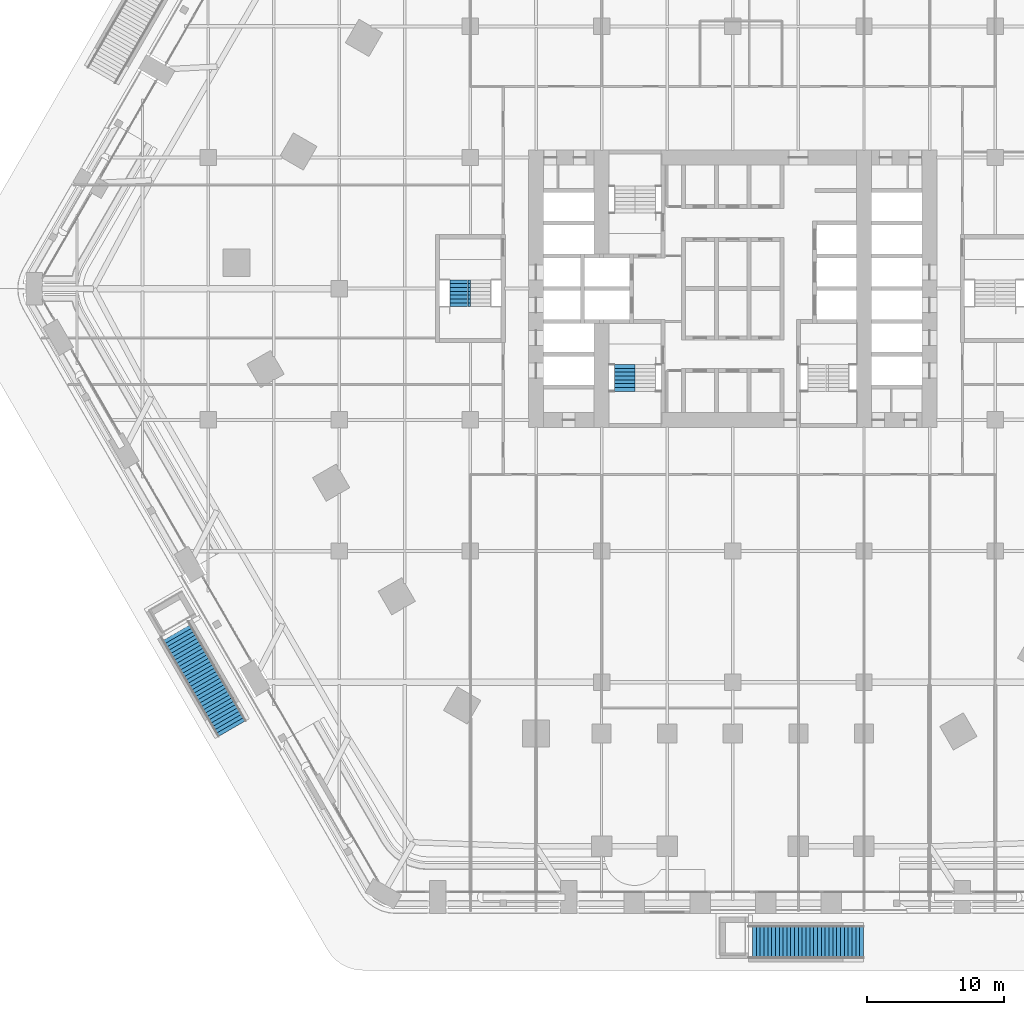
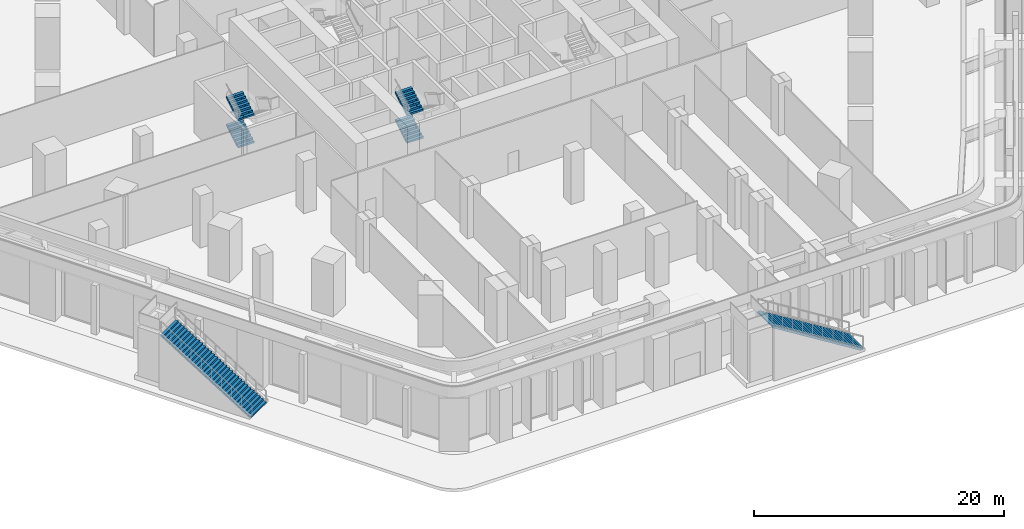
# One storey, part 24 of 34: 6 stair flights, 4 elements without a shape of their own.
"""IFC4 building model written with IfcOpenShell, lengths in metres."""

from ifc_helpers import new_model, si_unit, direction, frame, origin, place, context, subcontext, project, spatial, polyline, outline, extrude, material, type_object, element, aggregate, save


model = new_model("IFC4")

# Units and contexts
model_context = context("Model", 3, precision=1e-05, world=origin(), true_north=direction((0.0, 1.0)))
body_context = subcontext(model_context, "Body", "Model", "MODEL_VIEW")
ifc_project = project(units=[si_unit("LENGTHUNIT", "METRE"), si_unit("AREAUNIT", "SQUARE_METRE"), si_unit("VOLUMEUNIT", "CUBIC_METRE"), si_unit("PLANEANGLEUNIT", "RADIAN"), si_unit("MASSUNIT", "GRAM", prefix="KILO")], contexts=[model_context])

# Site, building, storey
site_placement = place(None, origin())
site = spatial("IfcSite", under=ifc_project, at=site_placement, CompositionType="ELEMENT")
building_placement = place(site_placement, origin())
building = spatial("IfcBuilding", under=site, at=building_placement, Name="Kolab Exchange Tower", CompositionType="ELEMENT")
storey_placement = place(building_placement, frame((0.0, 0.0, 7.0)))
storey = spatial("IfcBuildingStorey", under=building, at=storey_placement, Name="L01", CompositionType="ELEMENT", Elevation=7.0)

# Stair, stair flight
ifc_material_1 = material(Name="Concrete C40/50", Category="concrete")
stair_type_1 = type_object("IfcStairType", Name="GARDEN STAIR RUN B", PredefinedType="STRAIGHT_RUN_STAIR", material=ifc_material_1)
stair_1_placement = place(storey_placement, origin())
stair_1 = element("IfcStair", 1, at=stair_1_placement, inside=storey, type_object=stair_type_1, Name="Garden stair GS4 run B", PredefinedType="STRAIGHT_RUN_STAIR")
stair_flight_type_1 = type_object("IfcStairFlightType", Name="GARDEN STAIR FLIGHT B", PredefinedType="STRAIGHT", material=ifc_material_1)
stair_flight_1_placement = place(storey_placement, frame((9.56005859375, -47.826171875, 0.0), z_axis=(0.0, 0.0, 1.0), x_axis=(-1.0, 0.0, 0.0)))
stair_flight_1 = element("IfcStairFlight", 2, at=stair_flight_1_placement, type_object=stair_flight_type_1, Name="GS4 flight 1", NumberOfRisers=31, NumberOfTreads=30, PredefinedType="STRAIGHT", RiserHeight=0.174194, TreadLength=0.28, context=body_context, shape_type="SweptSolid", body=[
    extrude(outline(polyline([(0.0, 0.0), (0.0, 0.174072265625), (0.280029296875, 0.174072265625), (0.280029296875, 0.348388671875), (0.56005859375, 0.348388671875), (0.56005859375, 0.5224609375), (0.840087890625, 0.5224609375), (0.840087890625, 0.69677734375), (1.1201171875, 0.69677734375), (1.1201171875, 0.870849609375), (1.39990234375, 0.870849609375), (1.39990234375, 1.045166015625), (1.679931640625, 1.045166015625), (1.679931640625, 1.21923828125), (1.9599609375, 1.21923828125), (1.9599609375, 1.3935546875), (2.239990234375, 1.3935546875), (2.239990234375, 1.567626953125), (2.52001953125, 1.567626953125), (2.52001953125, 1.741943359375), (2.800048828125, 1.741943359375), (2.800048828125, 1.916015625), (3.080078125, 1.916015625), (3.080078125, 2.09033203125), (3.360107421875, 2.09033203125), (3.360107421875, 2.264404296875), (3.639892578125, 2.264404296875), (3.639892578125, 2.438720703125), (3.919921875, 2.438720703125), (3.919921875, 2.61279296875), (4.199951171875, 2.61279296875), (4.199951171875, 2.787109375), (4.47998046875, 2.787109375), (4.47998046875, 2.961181640625), (4.760009765625, 2.961181640625), (4.760009765625, 3.135498046875), (5.0400390625, 3.135498046875), (5.0400390625, 3.3095703125), (5.320068359375, 3.3095703125), (5.320068359375, 3.48388671875), (5.60009765625, 3.48388671875), (5.60009765625, 3.657958984375), (5.8798828125, 3.657958984375), (5.8798828125, 3.832275390625), (6.159912109375, 3.832275390625), (6.159912109375, 4.00634765625), (6.43994140625, 4.00634765625), (6.43994140625, 4.1806640625), (6.719970703125, 4.1806640625), (6.719970703125, 4.354736328125), (7.0, 4.354736328125), (7.0, 4.529052734375), (7.280029296875, 4.529052734375), (7.280029296875, 4.703125), (7.56005859375, 4.703125), (7.56005859375, 4.87744140625), (7.840087890625, 4.87744140625), (7.840087890625, 5.051513671875), (8.1201171875, 5.051513671875), (8.1201171875, 5.225830078125), (8.39990234375, 5.225830078125), (8.39990234375, 5.39990234375), (8.39990234375, 5.04931640625), (0.28369140625, 0.0), (0.0, 0.0)])), frame((0.0, 1.199951171875, 0.0), z_axis=(0.0, -1.0, 0.0), x_axis=(1.0, 0.0, 0.0)), (0.0, 0.0, 1.0), 2.39990234375),
])
aggregate(stair_1, [stair_flight_1])

stair_2_placement = place(storey_placement, origin())
stair_2 = element("IfcStair", 3, at=stair_2_placement, inside=storey, type_object=stair_type_1, Name="Garden stair GS5 run B", PredefinedType="STRAIGHT_RUN_STAIR")
stair_flight_2_placement = place(storey_placement, frame((-36.638671875, -32.1923828125, 0.0), z_axis=(0.0, 0.0, 1.0), x_axis=(-0.5, 0.866025403784, 0.0)))
stair_flight_2 = element("IfcStairFlight", 4, at=stair_flight_2_placement, type_object=stair_flight_type_1, Name="GS5 flight 1", NumberOfRisers=31, NumberOfTreads=30, PredefinedType="STRAIGHT", RiserHeight=0.174194, TreadLength=0.28, context=body_context, shape_type="SweptSolid", body=[
    extrude(outline(polyline([(0.0, 0.0), (0.0, 0.174072265625), (0.280029296875, 0.174072265625), (0.280029296875, 0.348388671875), (0.56005859375, 0.348388671875), (0.56005859375, 0.5224609375), (0.840087890625, 0.5224609375), (0.840087890625, 0.69677734375), (1.1201171875, 0.69677734375), (1.1201171875, 0.870849609375), (1.39990234375, 0.870849609375), (1.39990234375, 1.045166015625), (1.679931640625, 1.045166015625), (1.679931640625, 1.21923828125), (1.9599609375, 1.21923828125), (1.9599609375, 1.3935546875), (2.239990234375, 1.3935546875), (2.239990234375, 1.567626953125), (2.52001953125, 1.567626953125), (2.52001953125, 1.741943359375), (2.800048828125, 1.741943359375), (2.800048828125, 1.916015625), (3.080078125, 1.916015625), (3.080078125, 2.09033203125), (3.360107421875, 2.09033203125), (3.360107421875, 2.264404296875), (3.639892578125, 2.264404296875), (3.639892578125, 2.438720703125), (3.919921875, 2.438720703125), (3.919921875, 2.61279296875), (4.199951171875, 2.61279296875), (4.199951171875, 2.787109375), (4.47998046875, 2.787109375), (4.47998046875, 2.961181640625), (4.760009765625, 2.961181640625), (4.760009765625, 3.135498046875), (5.0400390625, 3.135498046875), (5.0400390625, 3.3095703125), (5.320068359375, 3.3095703125), (5.320068359375, 3.48388671875), (5.60009765625, 3.48388671875), (5.60009765625, 3.657958984375), (5.8798828125, 3.657958984375), (5.8798828125, 3.832275390625), (6.159912109375, 3.832275390625), (6.159912109375, 4.00634765625), (6.43994140625, 4.00634765625), (6.43994140625, 4.1806640625), (6.719970703125, 4.1806640625), (6.719970703125, 4.354736328125), (7.0, 4.354736328125), (7.0, 4.529052734375), (7.280029296875, 4.529052734375), (7.280029296875, 4.703125), (7.56005859375, 4.703125), (7.56005859375, 4.87744140625), (7.840087890625, 4.87744140625), (7.840087890625, 5.051513671875), (8.1201171875, 5.051513671875), (8.1201171875, 5.225830078125), (8.39990234375, 5.225830078125), (8.39990234375, 5.39990234375), (8.39990234375, 5.04931640625), (0.28369140625, 0.0), (0.0, 0.0)])), frame((0.0, 1.199951171875, 0.0), z_axis=(0.0, -1.0, 0.0), x_axis=(1.0, 0.0, 0.0)), (0.0, 0.0, 1.0), 2.39990234375),
])
aggregate(stair_2, [stair_flight_2])

# Stair, stair flights
ifc_material_2 = material(Name="Concrete C50/60", Category="concrete")
stair_type_2 = type_object("IfcStairType", Name="STAIR ST3 RISER 168.8", PredefinedType="DOUBLE_RETURN_STAIR", material=ifc_material_2)
stair_3_placement = place(storey_placement, origin())
stair_3 = element("IfcStair", 5, at=stair_3_placement, inside=storey, type_object=stair_type_2, Name="Stair 3", PredefinedType="DOUBLE_RETURN_STAIR")
stair_flight_type_2 = type_object("IfcStairFlightType", Name="STAIR FLIGHT 1500 RISER 168.8", PredefinedType="STRAIGHT", material=ifc_material_2)
stair_flight_3_placement = place(storey_placement, frame((-7.909912109375, -7.510009765625, 1.35009765625), z_axis=(0.0, 0.0, 1.0), x_axis=(0.0, 1.0, 0.0)))
stair_flight_3 = element("IfcStairFlight", 6, at=stair_flight_3_placement, type_object=stair_flight_type_2, Name="ST3 flight 2", NumberOfRisers=8, NumberOfTreads=7, PredefinedType="STRAIGHT", RiserHeight=0.16875, TreadLength=0.28, context=body_context, shape_type="SweptSolid", body=[
    extrude(outline(polyline([(0.0, 0.0), (0.0, 0.168701171875), (0.280029296875, 0.168701171875), (0.280029296875, 0.33740234375), (0.56005859375, 0.33740234375), (0.56005859375, 0.50634765625), (0.840087890625, 0.50634765625), (0.840087890625, 0.675048828125), (1.1201171875, 0.675048828125), (1.1201171875, 0.84375), (1.39990234375, 0.84375), (1.39990234375, 1.012451171875), (1.679931640625, 1.012451171875), (1.679931640625, 1.18115234375), (1.9599609375, 1.18115234375), (1.9599609375, 1.35009765625), (1.9599609375, 1.00634765625), (0.29052734375, 0.0), (0.0, 0.0)])), frame((0.0, 0.75, 0.0), z_axis=(0.0, -1.0, 0.0), x_axis=(1.0, 0.0, 0.0)), (0.0, 0.0, 1.0), 0.185791015625),
    extrude(outline(polyline([(0.0, 0.0), (0.0, 0.168701171875), (0.280029296875, 0.168701171875), (0.280029296875, 0.33740234375), (0.56005859375, 0.33740234375), (0.56005859375, 0.50634765625), (0.840087890625, 0.50634765625), (0.840087890625, 0.675048828125), (1.1201171875, 0.675048828125), (1.1201171875, 0.84375), (1.39990234375, 0.84375), (1.39990234375, 1.012451171875), (1.679931640625, 1.012451171875), (1.679931640625, 1.18115234375), (1.9599609375, 1.18115234375), (1.9599609375, 1.35009765625), (1.9599609375, 1.00634765625), (0.29052734375, 0.0), (0.0, 0.0)])), frame((0.0, 0.562255859375, 0.0), z_axis=(0.0, -1.0, 0.0), x_axis=(1.0, 0.0, 0.0)), (0.0, 0.0, 1.0), 0.185791015625),
    extrude(outline(polyline([(0.0, 0.0), (0.0, 0.168701171875), (0.280029296875, 0.168701171875), (0.280029296875, 0.33740234375), (0.56005859375, 0.33740234375), (0.56005859375, 0.50634765625), (0.840087890625, 0.50634765625), (0.840087890625, 0.675048828125), (1.1201171875, 0.675048828125), (1.1201171875, 0.84375), (1.39990234375, 0.84375), (1.39990234375, 1.012451171875), (1.679931640625, 1.012451171875), (1.679931640625, 1.18115234375), (1.9599609375, 1.18115234375), (1.9599609375, 1.35009765625), (1.9599609375, 1.00634765625), (0.29052734375, 0.0), (0.0, 0.0)])), frame((0.0, 0.37451171875, 0.0), z_axis=(0.0, -1.0, 0.0), x_axis=(1.0, 0.0, 0.0)), (0.0, 0.0, 1.0), 0.185791015625),
    extrude(outline(polyline([(0.0, 0.0), (0.0, 0.168701171875), (0.280029296875, 0.168701171875), (0.280029296875, 0.33740234375), (0.56005859375, 0.33740234375), (0.56005859375, 0.50634765625), (0.840087890625, 0.50634765625), (0.840087890625, 0.675048828125), (1.1201171875, 0.675048828125), (1.1201171875, 0.84375), (1.39990234375, 0.84375), (1.39990234375, 1.012451171875), (1.679931640625, 1.012451171875), (1.679931640625, 1.18115234375), (1.9599609375, 1.18115234375), (1.9599609375, 1.35009765625), (1.9599609375, 1.00634765625), (0.29052734375, 0.0), (0.0, 0.0)])), frame((0.0, 0.186767578125, 0.0), z_axis=(0.0, -1.0, 0.0), x_axis=(1.0, 0.0, 0.0)), (0.0, 0.0, 1.0), 0.185791015625),
    extrude(outline(polyline([(0.0, 0.0), (0.0, 0.168701171875), (0.280029296875, 0.168701171875), (0.280029296875, 0.33740234375), (0.56005859375, 0.33740234375), (0.56005859375, 0.50634765625), (0.840087890625, 0.50634765625), (0.840087890625, 0.675048828125), (1.1201171875, 0.675048828125), (1.1201171875, 0.84375), (1.39990234375, 0.84375), (1.39990234375, 1.012451171875), (1.679931640625, 1.012451171875), (1.679931640625, 1.18115234375), (1.9599609375, 1.18115234375), (1.9599609375, 1.35009765625), (1.9599609375, 1.00634765625), (0.29052734375, 0.0), (0.0, 0.0)])), frame((0.0, -0.0009765625, 0.0), z_axis=(0.0, -1.0, 0.0), x_axis=(1.0, 0.0, 0.0)), (0.0, 0.0, 1.0), 0.185791015625),
    extrude(outline(polyline([(0.0, 0.0), (0.0, 0.168701171875), (0.280029296875, 0.168701171875), (0.280029296875, 0.33740234375), (0.56005859375, 0.33740234375), (0.56005859375, 0.50634765625), (0.840087890625, 0.50634765625), (0.840087890625, 0.675048828125), (1.1201171875, 0.675048828125), (1.1201171875, 0.84375), (1.39990234375, 0.84375), (1.39990234375, 1.012451171875), (1.679931640625, 1.012451171875), (1.679931640625, 1.18115234375), (1.9599609375, 1.18115234375), (1.9599609375, 1.35009765625), (1.9599609375, 1.00634765625), (0.29052734375, 0.0), (0.0, 0.0)])), frame((0.0, -0.188720703125, 0.0), z_axis=(0.0, -1.0, 0.0), x_axis=(1.0, 0.0, 0.0)), (0.0, 0.0, 1.0), 0.185791015625),
    extrude(outline(polyline([(0.0, 0.0), (0.0, 0.168701171875), (0.280029296875, 0.168701171875), (0.280029296875, 0.33740234375), (0.56005859375, 0.33740234375), (0.56005859375, 0.50634765625), (0.840087890625, 0.50634765625), (0.840087890625, 0.675048828125), (1.1201171875, 0.675048828125), (1.1201171875, 0.84375), (1.39990234375, 0.84375), (1.39990234375, 1.012451171875), (1.679931640625, 1.012451171875), (1.679931640625, 1.18115234375), (1.9599609375, 1.18115234375), (1.9599609375, 1.35009765625), (1.9599609375, 1.00634765625), (0.29052734375, 0.0), (0.0, 0.0)])), frame((0.0, -0.37646484375, 0.0), z_axis=(0.0, -1.0, 0.0), x_axis=(1.0, 0.0, 0.0)), (0.0, 0.0, 1.0), 0.185791015625),
    extrude(outline(polyline([(0.0, 0.0), (0.0, 0.168701171875), (0.280029296875, 0.168701171875), (0.280029296875, 0.33740234375), (0.56005859375, 0.33740234375), (0.56005859375, 0.50634765625), (0.840087890625, 0.50634765625), (0.840087890625, 0.675048828125), (1.1201171875, 0.675048828125), (1.1201171875, 0.84375), (1.39990234375, 0.84375), (1.39990234375, 1.012451171875), (1.679931640625, 1.012451171875), (1.679931640625, 1.18115234375), (1.9599609375, 1.18115234375), (1.9599609375, 1.35009765625), (1.9599609375, 1.00634765625), (0.29052734375, 0.0), (0.0, 0.0)])), frame((0.0, -0.564208984375, 0.0), z_axis=(0.0, -1.0, 0.0), x_axis=(1.0, 0.0, 0.0)), (0.0, 0.0, 1.0), 0.185791015625),
])
stair_flight_4_placement = place(storey_placement, frame((-7.909912109375, -7.510009765625, 4.050048828125), z_axis=(0.0, 0.0, 1.0), x_axis=(0.0, 1.0, 0.0)))
stair_flight_4 = element("IfcStairFlight", 7, at=stair_flight_4_placement, type_object=stair_flight_type_2, Name="ST3 flight 4", NumberOfRisers=8, NumberOfTreads=7, PredefinedType="STRAIGHT", RiserHeight=0.16875, TreadLength=0.28, context=body_context, shape_type="SweptSolid", body=[
    extrude(outline(polyline([(0.0, 0.0), (0.0, 0.168701171875), (0.280029296875, 0.168701171875), (0.280029296875, 0.33740234375), (0.56005859375, 0.33740234375), (0.56005859375, 0.50634765625), (0.840087890625, 0.50634765625), (0.840087890625, 0.675048828125), (1.1201171875, 0.675048828125), (1.1201171875, 0.84375), (1.39990234375, 0.84375), (1.39990234375, 1.012451171875), (1.679931640625, 1.012451171875), (1.679931640625, 1.18115234375), (1.9599609375, 1.18115234375), (1.9599609375, 1.35009765625), (1.9599609375, 1.00634765625), (0.29052734375, 0.0), (0.0, 0.0)])), frame((0.0, 0.75, 0.0), z_axis=(0.0, -1.0, 0.0), x_axis=(1.0, 0.0, 0.0)), (0.0, 0.0, 1.0), 0.185791015625),
    extrude(outline(polyline([(0.0, 0.0), (0.0, 0.168701171875), (0.280029296875, 0.168701171875), (0.280029296875, 0.33740234375), (0.56005859375, 0.33740234375), (0.56005859375, 0.50634765625), (0.840087890625, 0.50634765625), (0.840087890625, 0.675048828125), (1.1201171875, 0.675048828125), (1.1201171875, 0.84375), (1.39990234375, 0.84375), (1.39990234375, 1.012451171875), (1.679931640625, 1.012451171875), (1.679931640625, 1.18115234375), (1.9599609375, 1.18115234375), (1.9599609375, 1.35009765625), (1.9599609375, 1.00634765625), (0.29052734375, 0.0), (0.0, 0.0)])), frame((0.0, 0.562255859375, 0.0), z_axis=(0.0, -1.0, 0.0), x_axis=(1.0, 0.0, 0.0)), (0.0, 0.0, 1.0), 0.185791015625),
    extrude(outline(polyline([(0.0, 0.0), (0.0, 0.168701171875), (0.280029296875, 0.168701171875), (0.280029296875, 0.33740234375), (0.56005859375, 0.33740234375), (0.56005859375, 0.50634765625), (0.840087890625, 0.50634765625), (0.840087890625, 0.675048828125), (1.1201171875, 0.675048828125), (1.1201171875, 0.84375), (1.39990234375, 0.84375), (1.39990234375, 1.012451171875), (1.679931640625, 1.012451171875), (1.679931640625, 1.18115234375), (1.9599609375, 1.18115234375), (1.9599609375, 1.35009765625), (1.9599609375, 1.00634765625), (0.29052734375, 0.0), (0.0, 0.0)])), frame((0.0, 0.37451171875, 0.0), z_axis=(0.0, -1.0, 0.0), x_axis=(1.0, 0.0, 0.0)), (0.0, 0.0, 1.0), 0.185791015625),
    extrude(outline(polyline([(0.0, 0.0), (0.0, 0.168701171875), (0.280029296875, 0.168701171875), (0.280029296875, 0.33740234375), (0.56005859375, 0.33740234375), (0.56005859375, 0.50634765625), (0.840087890625, 0.50634765625), (0.840087890625, 0.675048828125), (1.1201171875, 0.675048828125), (1.1201171875, 0.84375), (1.39990234375, 0.84375), (1.39990234375, 1.012451171875), (1.679931640625, 1.012451171875), (1.679931640625, 1.18115234375), (1.9599609375, 1.18115234375), (1.9599609375, 1.35009765625), (1.9599609375, 1.00634765625), (0.29052734375, 0.0), (0.0, 0.0)])), frame((0.0, 0.186767578125, 0.0), z_axis=(0.0, -1.0, 0.0), x_axis=(1.0, 0.0, 0.0)), (0.0, 0.0, 1.0), 0.185791015625),
    extrude(outline(polyline([(0.0, 0.0), (0.0, 0.168701171875), (0.280029296875, 0.168701171875), (0.280029296875, 0.33740234375), (0.56005859375, 0.33740234375), (0.56005859375, 0.50634765625), (0.840087890625, 0.50634765625), (0.840087890625, 0.675048828125), (1.1201171875, 0.675048828125), (1.1201171875, 0.84375), (1.39990234375, 0.84375), (1.39990234375, 1.012451171875), (1.679931640625, 1.012451171875), (1.679931640625, 1.18115234375), (1.9599609375, 1.18115234375), (1.9599609375, 1.35009765625), (1.9599609375, 1.00634765625), (0.29052734375, 0.0), (0.0, 0.0)])), frame((0.0, -0.0009765625, 0.0), z_axis=(0.0, -1.0, 0.0), x_axis=(1.0, 0.0, 0.0)), (0.0, 0.0, 1.0), 0.185791015625),
    extrude(outline(polyline([(0.0, 0.0), (0.0, 0.168701171875), (0.280029296875, 0.168701171875), (0.280029296875, 0.33740234375), (0.56005859375, 0.33740234375), (0.56005859375, 0.50634765625), (0.840087890625, 0.50634765625), (0.840087890625, 0.675048828125), (1.1201171875, 0.675048828125), (1.1201171875, 0.84375), (1.39990234375, 0.84375), (1.39990234375, 1.012451171875), (1.679931640625, 1.012451171875), (1.679931640625, 1.18115234375), (1.9599609375, 1.18115234375), (1.9599609375, 1.35009765625), (1.9599609375, 1.00634765625), (0.29052734375, 0.0), (0.0, 0.0)])), frame((0.0, -0.188720703125, 0.0), z_axis=(0.0, -1.0, 0.0), x_axis=(1.0, 0.0, 0.0)), (0.0, 0.0, 1.0), 0.185791015625),
    extrude(outline(polyline([(0.0, 0.0), (0.0, 0.168701171875), (0.280029296875, 0.168701171875), (0.280029296875, 0.33740234375), (0.56005859375, 0.33740234375), (0.56005859375, 0.50634765625), (0.840087890625, 0.50634765625), (0.840087890625, 0.675048828125), (1.1201171875, 0.675048828125), (1.1201171875, 0.84375), (1.39990234375, 0.84375), (1.39990234375, 1.012451171875), (1.679931640625, 1.012451171875), (1.679931640625, 1.18115234375), (1.9599609375, 1.18115234375), (1.9599609375, 1.35009765625), (1.9599609375, 1.00634765625), (0.29052734375, 0.0), (0.0, 0.0)])), frame((0.0, -0.37646484375, 0.0), z_axis=(0.0, -1.0, 0.0), x_axis=(1.0, 0.0, 0.0)), (0.0, 0.0, 1.0), 0.185791015625),
    extrude(outline(polyline([(0.0, 0.0), (0.0, 0.168701171875), (0.280029296875, 0.168701171875), (0.280029296875, 0.33740234375), (0.56005859375, 0.33740234375), (0.56005859375, 0.50634765625), (0.840087890625, 0.50634765625), (0.840087890625, 0.675048828125), (1.1201171875, 0.675048828125), (1.1201171875, 0.84375), (1.39990234375, 0.84375), (1.39990234375, 1.012451171875), (1.679931640625, 1.012451171875), (1.679931640625, 1.18115234375), (1.9599609375, 1.18115234375), (1.9599609375, 1.35009765625), (1.9599609375, 1.00634765625), (0.29052734375, 0.0), (0.0, 0.0)])), frame((0.0, -0.564208984375, 0.0), z_axis=(0.0, -1.0, 0.0), x_axis=(1.0, 0.0, 0.0)), (0.0, 0.0, 1.0), 0.185791015625),
])
aggregate(stair_3, [stair_flight_3, stair_flight_4])

stair_type_3 = type_object("IfcStairType", Name="STAIR ST5 RISER 168.8", PredefinedType="DOUBLE_RETURN_STAIR", material=ifc_material_2)
stair_4_placement = place(storey_placement, origin())
stair_4 = element("IfcStair", 8, at=stair_4_placement, inside=storey, type_object=stair_type_3, Name="Stair 5", PredefinedType="DOUBLE_RETURN_STAIR")
stair_flight_5_placement = place(storey_placement, frame((-19.9599609375, -1.31005859375, 1.35009765625), z_axis=(0.0, 0.0, 1.0), x_axis=(0.0, 1.0, 0.0)))
stair_flight_5 = element("IfcStairFlight", 9, at=stair_flight_5_placement, type_object=stair_flight_type_2, Name="ST5 flight 2", NumberOfRisers=8, NumberOfTreads=7, PredefinedType="STRAIGHT", RiserHeight=0.16875, TreadLength=0.28, context=body_context, shape_type="SweptSolid", body=[
    extrude(outline(polyline([(0.0, 0.0), (0.0, 0.168701171875), (0.280029296875, 0.168701171875), (0.280029296875, 0.33740234375), (0.56005859375, 0.33740234375), (0.56005859375, 0.50634765625), (0.840087890625, 0.50634765625), (0.840087890625, 0.675048828125), (1.1201171875, 0.675048828125), (1.1201171875, 0.84375), (1.39990234375, 0.84375), (1.39990234375, 1.012451171875), (1.679931640625, 1.012451171875), (1.679931640625, 1.18115234375), (1.9599609375, 1.18115234375), (1.9599609375, 1.35009765625), (1.9599609375, 1.00634765625), (0.29052734375, 0.0), (0.0, 0.0)])), frame((0.0, 0.75, 0.0), z_axis=(0.0, -1.0, 0.0), x_axis=(1.0, 0.0, 0.0)), (0.0, 0.0, 1.0), 0.185791015625),
    extrude(outline(polyline([(0.0, 0.0), (0.0, 0.168701171875), (0.280029296875, 0.168701171875), (0.280029296875, 0.33740234375), (0.56005859375, 0.33740234375), (0.56005859375, 0.50634765625), (0.840087890625, 0.50634765625), (0.840087890625, 0.675048828125), (1.1201171875, 0.675048828125), (1.1201171875, 0.84375), (1.39990234375, 0.84375), (1.39990234375, 1.012451171875), (1.679931640625, 1.012451171875), (1.679931640625, 1.18115234375), (1.9599609375, 1.18115234375), (1.9599609375, 1.35009765625), (1.9599609375, 1.00634765625), (0.29052734375, 0.0), (0.0, 0.0)])), frame((0.0, 0.562255859375, 0.0), z_axis=(0.0, -1.0, 0.0), x_axis=(1.0, 0.0, 0.0)), (0.0, 0.0, 1.0), 0.185791015625),
    extrude(outline(polyline([(0.0, 0.0), (0.0, 0.168701171875), (0.280029296875, 0.168701171875), (0.280029296875, 0.33740234375), (0.56005859375, 0.33740234375), (0.56005859375, 0.50634765625), (0.840087890625, 0.50634765625), (0.840087890625, 0.675048828125), (1.1201171875, 0.675048828125), (1.1201171875, 0.84375), (1.39990234375, 0.84375), (1.39990234375, 1.012451171875), (1.679931640625, 1.012451171875), (1.679931640625, 1.18115234375), (1.9599609375, 1.18115234375), (1.9599609375, 1.35009765625), (1.9599609375, 1.00634765625), (0.29052734375, 0.0), (0.0, 0.0)])), frame((0.0, 0.37451171875, 0.0), z_axis=(0.0, -1.0, 0.0), x_axis=(1.0, 0.0, 0.0)), (0.0, 0.0, 1.0), 0.185791015625),
    extrude(outline(polyline([(0.0, 0.0), (0.0, 0.168701171875), (0.280029296875, 0.168701171875), (0.280029296875, 0.33740234375), (0.56005859375, 0.33740234375), (0.56005859375, 0.50634765625), (0.840087890625, 0.50634765625), (0.840087890625, 0.675048828125), (1.1201171875, 0.675048828125), (1.1201171875, 0.84375), (1.39990234375, 0.84375), (1.39990234375, 1.012451171875), (1.679931640625, 1.012451171875), (1.679931640625, 1.18115234375), (1.9599609375, 1.18115234375), (1.9599609375, 1.35009765625), (1.9599609375, 1.00634765625), (0.29052734375, 0.0), (0.0, 0.0)])), frame((0.0, 0.186767578125, 0.0), z_axis=(0.0, -1.0, 0.0), x_axis=(1.0, 0.0, 0.0)), (0.0, 0.0, 1.0), 0.185791015625),
    extrude(outline(polyline([(0.0, 0.0), (0.0, 0.168701171875), (0.280029296875, 0.168701171875), (0.280029296875, 0.33740234375), (0.56005859375, 0.33740234375), (0.56005859375, 0.50634765625), (0.840087890625, 0.50634765625), (0.840087890625, 0.675048828125), (1.1201171875, 0.675048828125), (1.1201171875, 0.84375), (1.39990234375, 0.84375), (1.39990234375, 1.012451171875), (1.679931640625, 1.012451171875), (1.679931640625, 1.18115234375), (1.9599609375, 1.18115234375), (1.9599609375, 1.35009765625), (1.9599609375, 1.00634765625), (0.29052734375, 0.0), (0.0, 0.0)])), frame((0.0, -0.0009765625, 0.0), z_axis=(0.0, -1.0, 0.0), x_axis=(1.0, 0.0, 0.0)), (0.0, 0.0, 1.0), 0.185791015625),
    extrude(outline(polyline([(0.0, 0.0), (0.0, 0.168701171875), (0.280029296875, 0.168701171875), (0.280029296875, 0.33740234375), (0.56005859375, 0.33740234375), (0.56005859375, 0.50634765625), (0.840087890625, 0.50634765625), (0.840087890625, 0.675048828125), (1.1201171875, 0.675048828125), (1.1201171875, 0.84375), (1.39990234375, 0.84375), (1.39990234375, 1.012451171875), (1.679931640625, 1.012451171875), (1.679931640625, 1.18115234375), (1.9599609375, 1.18115234375), (1.9599609375, 1.35009765625), (1.9599609375, 1.00634765625), (0.29052734375, 0.0), (0.0, 0.0)])), frame((0.0, -0.188720703125, 0.0), z_axis=(0.0, -1.0, 0.0), x_axis=(1.0, 0.0, 0.0)), (0.0, 0.0, 1.0), 0.185791015625),
    extrude(outline(polyline([(0.0, 0.0), (0.0, 0.168701171875), (0.280029296875, 0.168701171875), (0.280029296875, 0.33740234375), (0.56005859375, 0.33740234375), (0.56005859375, 0.50634765625), (0.840087890625, 0.50634765625), (0.840087890625, 0.675048828125), (1.1201171875, 0.675048828125), (1.1201171875, 0.84375), (1.39990234375, 0.84375), (1.39990234375, 1.012451171875), (1.679931640625, 1.012451171875), (1.679931640625, 1.18115234375), (1.9599609375, 1.18115234375), (1.9599609375, 1.35009765625), (1.9599609375, 1.00634765625), (0.29052734375, 0.0), (0.0, 0.0)])), frame((0.0, -0.37646484375, 0.0), z_axis=(0.0, -1.0, 0.0), x_axis=(1.0, 0.0, 0.0)), (0.0, 0.0, 1.0), 0.185791015625),
    extrude(outline(polyline([(0.0, 0.0), (0.0, 0.168701171875), (0.280029296875, 0.168701171875), (0.280029296875, 0.33740234375), (0.56005859375, 0.33740234375), (0.56005859375, 0.50634765625), (0.840087890625, 0.50634765625), (0.840087890625, 0.675048828125), (1.1201171875, 0.675048828125), (1.1201171875, 0.84375), (1.39990234375, 0.84375), (1.39990234375, 1.012451171875), (1.679931640625, 1.012451171875), (1.679931640625, 1.18115234375), (1.9599609375, 1.18115234375), (1.9599609375, 1.35009765625), (1.9599609375, 1.00634765625), (0.29052734375, 0.0), (0.0, 0.0)])), frame((0.0, -0.564208984375, 0.0), z_axis=(0.0, -1.0, 0.0), x_axis=(1.0, 0.0, 0.0)), (0.0, 0.0, 1.0), 0.185791015625),
])
stair_flight_6_placement = place(storey_placement, frame((-19.9599609375, -1.31005859375, 4.050048828125), z_axis=(0.0, 0.0, 1.0), x_axis=(0.0, 1.0, 0.0)))
stair_flight_6 = element("IfcStairFlight", 10, at=stair_flight_6_placement, type_object=stair_flight_type_2, Name="ST5 flight 4", NumberOfRisers=8, NumberOfTreads=7, PredefinedType="STRAIGHT", RiserHeight=0.16875, TreadLength=0.28, context=body_context, shape_type="SweptSolid", body=[
    extrude(outline(polyline([(0.0, 0.0), (0.0, 0.168701171875), (0.280029296875, 0.168701171875), (0.280029296875, 0.33740234375), (0.56005859375, 0.33740234375), (0.56005859375, 0.50634765625), (0.840087890625, 0.50634765625), (0.840087890625, 0.675048828125), (1.1201171875, 0.675048828125), (1.1201171875, 0.84375), (1.39990234375, 0.84375), (1.39990234375, 1.012451171875), (1.679931640625, 1.012451171875), (1.679931640625, 1.18115234375), (1.9599609375, 1.18115234375), (1.9599609375, 1.35009765625), (1.9599609375, 1.00634765625), (0.29052734375, 0.0), (0.0, 0.0)])), frame((0.0, 0.75, 0.0), z_axis=(0.0, -1.0, 0.0), x_axis=(1.0, 0.0, 0.0)), (0.0, 0.0, 1.0), 0.185791015625),
    extrude(outline(polyline([(0.0, 0.0), (0.0, 0.168701171875), (0.280029296875, 0.168701171875), (0.280029296875, 0.33740234375), (0.56005859375, 0.33740234375), (0.56005859375, 0.50634765625), (0.840087890625, 0.50634765625), (0.840087890625, 0.675048828125), (1.1201171875, 0.675048828125), (1.1201171875, 0.84375), (1.39990234375, 0.84375), (1.39990234375, 1.012451171875), (1.679931640625, 1.012451171875), (1.679931640625, 1.18115234375), (1.9599609375, 1.18115234375), (1.9599609375, 1.35009765625), (1.9599609375, 1.00634765625), (0.29052734375, 0.0), (0.0, 0.0)])), frame((0.0, 0.562255859375, 0.0), z_axis=(0.0, -1.0, 0.0), x_axis=(1.0, 0.0, 0.0)), (0.0, 0.0, 1.0), 0.185791015625),
    extrude(outline(polyline([(0.0, 0.0), (0.0, 0.168701171875), (0.280029296875, 0.168701171875), (0.280029296875, 0.33740234375), (0.56005859375, 0.33740234375), (0.56005859375, 0.50634765625), (0.840087890625, 0.50634765625), (0.840087890625, 0.675048828125), (1.1201171875, 0.675048828125), (1.1201171875, 0.84375), (1.39990234375, 0.84375), (1.39990234375, 1.012451171875), (1.679931640625, 1.012451171875), (1.679931640625, 1.18115234375), (1.9599609375, 1.18115234375), (1.9599609375, 1.35009765625), (1.9599609375, 1.00634765625), (0.29052734375, 0.0), (0.0, 0.0)])), frame((0.0, 0.37451171875, 0.0), z_axis=(0.0, -1.0, 0.0), x_axis=(1.0, 0.0, 0.0)), (0.0, 0.0, 1.0), 0.185791015625),
    extrude(outline(polyline([(0.0, 0.0), (0.0, 0.168701171875), (0.280029296875, 0.168701171875), (0.280029296875, 0.33740234375), (0.56005859375, 0.33740234375), (0.56005859375, 0.50634765625), (0.840087890625, 0.50634765625), (0.840087890625, 0.675048828125), (1.1201171875, 0.675048828125), (1.1201171875, 0.84375), (1.39990234375, 0.84375), (1.39990234375, 1.012451171875), (1.679931640625, 1.012451171875), (1.679931640625, 1.18115234375), (1.9599609375, 1.18115234375), (1.9599609375, 1.35009765625), (1.9599609375, 1.00634765625), (0.29052734375, 0.0), (0.0, 0.0)])), frame((0.0, 0.186767578125, 0.0), z_axis=(0.0, -1.0, 0.0), x_axis=(1.0, 0.0, 0.0)), (0.0, 0.0, 1.0), 0.185791015625),
    extrude(outline(polyline([(0.0, 0.0), (0.0, 0.168701171875), (0.280029296875, 0.168701171875), (0.280029296875, 0.33740234375), (0.56005859375, 0.33740234375), (0.56005859375, 0.50634765625), (0.840087890625, 0.50634765625), (0.840087890625, 0.675048828125), (1.1201171875, 0.675048828125), (1.1201171875, 0.84375), (1.39990234375, 0.84375), (1.39990234375, 1.012451171875), (1.679931640625, 1.012451171875), (1.679931640625, 1.18115234375), (1.9599609375, 1.18115234375), (1.9599609375, 1.35009765625), (1.9599609375, 1.00634765625), (0.29052734375, 0.0), (0.0, 0.0)])), frame((0.0, -0.0009765625, 0.0), z_axis=(0.0, -1.0, 0.0), x_axis=(1.0, 0.0, 0.0)), (0.0, 0.0, 1.0), 0.185791015625),
    extrude(outline(polyline([(0.0, 0.0), (0.0, 0.168701171875), (0.280029296875, 0.168701171875), (0.280029296875, 0.33740234375), (0.56005859375, 0.33740234375), (0.56005859375, 0.50634765625), (0.840087890625, 0.50634765625), (0.840087890625, 0.675048828125), (1.1201171875, 0.675048828125), (1.1201171875, 0.84375), (1.39990234375, 0.84375), (1.39990234375, 1.012451171875), (1.679931640625, 1.012451171875), (1.679931640625, 1.18115234375), (1.9599609375, 1.18115234375), (1.9599609375, 1.35009765625), (1.9599609375, 1.00634765625), (0.29052734375, 0.0), (0.0, 0.0)])), frame((0.0, -0.188720703125, 0.0), z_axis=(0.0, -1.0, 0.0), x_axis=(1.0, 0.0, 0.0)), (0.0, 0.0, 1.0), 0.185791015625),
    extrude(outline(polyline([(0.0, 0.0), (0.0, 0.168701171875), (0.280029296875, 0.168701171875), (0.280029296875, 0.33740234375), (0.56005859375, 0.33740234375), (0.56005859375, 0.50634765625), (0.840087890625, 0.50634765625), (0.840087890625, 0.675048828125), (1.1201171875, 0.675048828125), (1.1201171875, 0.84375), (1.39990234375, 0.84375), (1.39990234375, 1.012451171875), (1.679931640625, 1.012451171875), (1.679931640625, 1.18115234375), (1.9599609375, 1.18115234375), (1.9599609375, 1.35009765625), (1.9599609375, 1.00634765625), (0.29052734375, 0.0), (0.0, 0.0)])), frame((0.0, -0.37646484375, 0.0), z_axis=(0.0, -1.0, 0.0), x_axis=(1.0, 0.0, 0.0)), (0.0, 0.0, 1.0), 0.185791015625),
    extrude(outline(polyline([(0.0, 0.0), (0.0, 0.168701171875), (0.280029296875, 0.168701171875), (0.280029296875, 0.33740234375), (0.56005859375, 0.33740234375), (0.56005859375, 0.50634765625), (0.840087890625, 0.50634765625), (0.840087890625, 0.675048828125), (1.1201171875, 0.675048828125), (1.1201171875, 0.84375), (1.39990234375, 0.84375), (1.39990234375, 1.012451171875), (1.679931640625, 1.012451171875), (1.679931640625, 1.18115234375), (1.9599609375, 1.18115234375), (1.9599609375, 1.35009765625), (1.9599609375, 1.00634765625), (0.29052734375, 0.0), (0.0, 0.0)])), frame((0.0, -0.564208984375, 0.0), z_axis=(0.0, -1.0, 0.0), x_axis=(1.0, 0.0, 0.0)), (0.0, 0.0, 1.0), 0.185791015625),
])
aggregate(stair_4, [stair_flight_5, stair_flight_6])

save(model, "model.ifc")
